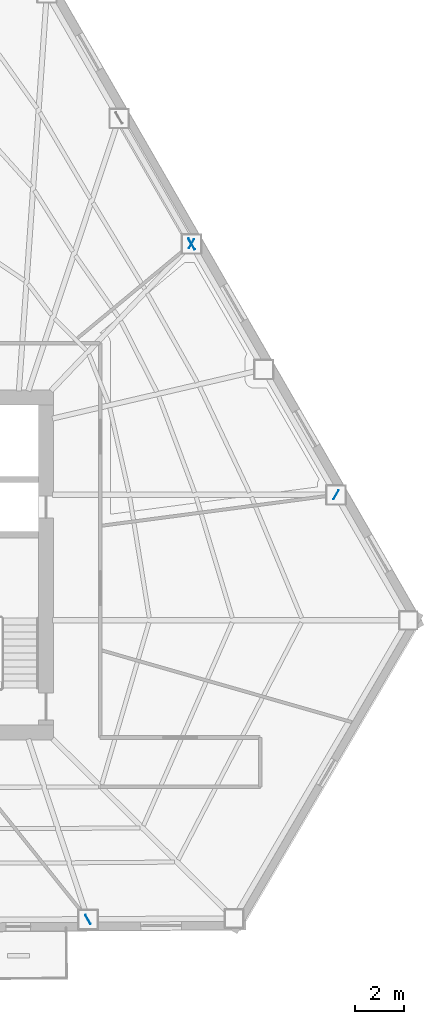
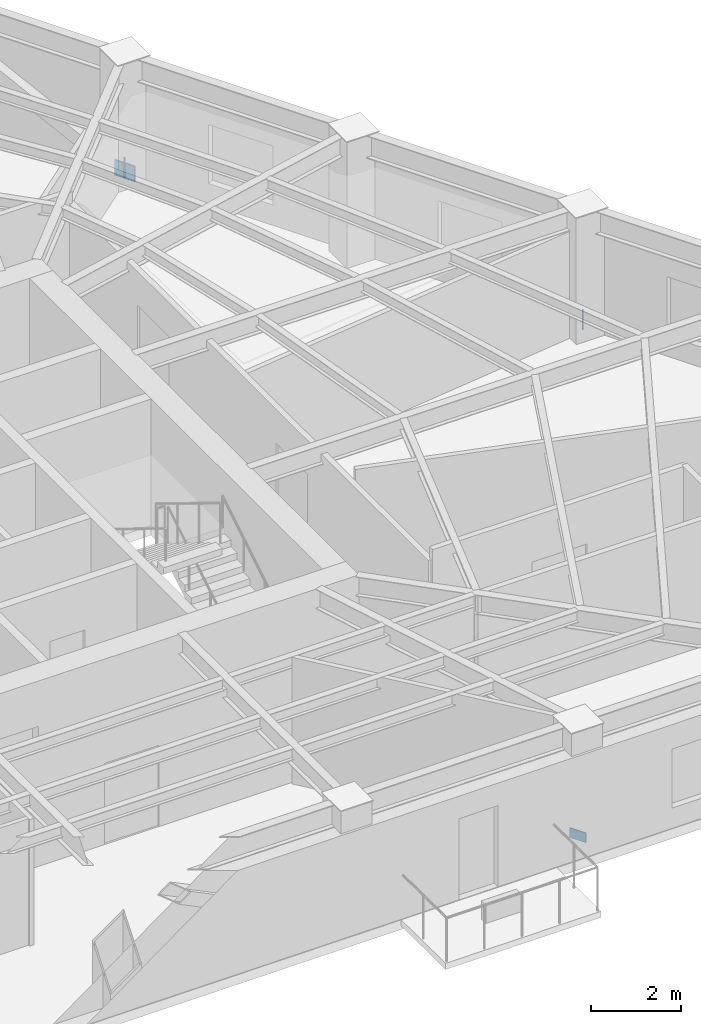
# One storey, part 6 of 14: 4 plates.
"""IFC4 building model written with IfcOpenShell, lengths in metres."""

import ifcopenshell
import ifcopenshell.guid

model = None  # the IFC model being written
_history = None  # IfcOwnerHistory: only IFC2X3 demands one
_inside = {}  # id of a spatial element -> (the spatial element, [elements in it])
_under = {}  # id of a project, library or spatial element -> (it, [spatial elements below it])
_declared = {}  # id of a project -> (the project, [libraries it declares])
_typed = {}  # id of a type object -> (the type object, [elements of that type])
_made_of = {}  # id of a material, layer set ... -> (it, [elements and type objects made of it])


def new_model(schema):
    """Start an empty IFC model of exactly this schema.

    Asked for "IFC4X3", IfcOpenShell would pick the latest addendum, in which some entities
    have other attributes; the version numbers below select the first issue.
    IFC2X3 requires an IfcOwnerHistory on every rooted entity: one is made here for all.
    """
    global model, _history
    if schema == "IFC4X3":
        model = ifcopenshell.file(schema_version=(4, 3, 0, 0))
    else:
        model = ifcopenshell.file(schema=schema)
    _inside.clear()
    _under.clear()
    _declared.clear()
    _typed.clear()
    _made_of.clear()
    _history = None
    if model.schema == "IFC2X3":
        org = make("IfcOrganization", Name="unknown")
        user = make(
            "IfcPersonAndOrganization",
            ThePerson=make("IfcPerson", FamilyName="unknown"),
            TheOrganization=org,
        )
        app = make(
            "IfcApplication",
            ApplicationDeveloper=org,
            Version="unknown",
            ApplicationFullName="unknown",
            ApplicationIdentifier="unknown",
        )
        _history = make(
            "IfcOwnerHistory",
            OwningUser=user,
            OwningApplication=app,
            ChangeAction="ADDED",
            CreationDate=0,
        )
    return model


def make(cls, **values):
    """One entity of the class cls with the attributes given. An attribute that is None is left unset."""
    return model.create_entity(
        cls, **{name: value for name, value in values.items() if value is not None}
    )


def rooted(cls, **values):
    """An entity with a GlobalId (a new one), such as an element, a storey or a relation."""
    return make(cls, GlobalId=ifcopenshell.guid.new(), OwnerHistory=_history, **values)


def si_unit(unit_type, name, prefix=None):
    """IfcSIUnit, for example si_unit("LENGTHUNIT", "METRE", prefix="MILLI")."""
    return make("IfcSIUnit", UnitType=unit_type, Prefix=prefix, Name=name)


def assignment(units):
    """IfcUnitAssignment: the units of a project."""
    return None if units is None else make("IfcUnitAssignment", Units=units)


def point(xyz):
    """IfcCartesianPoint."""
    return None if xyz is None else make("IfcCartesianPoint", Coordinates=xyz)


def direction(xyz):
    """IfcDirection."""
    return None if xyz is None else make("IfcDirection", DirectionRatios=xyz)


def frame(location, z_axis=None, x_axis=None):
    """IfcAxis2Placement3D, a coordinate frame: its origin and axes. An axis left out is left unset."""
    return make(
        "IfcAxis2Placement3D",
        Location=point(location),
        Axis=direction(z_axis),
        RefDirection=direction(x_axis),
    )


def frame_2d(location, x_axis=None):
    """IfcAxis2Placement2D, a coordinate frame in the plane: its origin and x axis."""
    return make(
        "IfcAxis2Placement2D", Location=point(location), RefDirection=direction(x_axis)
    )


def origin():
    """The frame at (0, 0, 0) with its axes left unset."""
    return frame((0.0, 0.0, 0.0))


def origin_2d():
    """The frame at (0, 0) in the plane with its x axis left unset."""
    return frame_2d((0.0, 0.0))


def place(relative_to, where):
    """IfcLocalPlacement: puts the frame where relative to a parent placement (None: the world)."""
    return make(
        "IfcLocalPlacement", PlacementRelTo=relative_to, RelativePlacement=where
    )


def context(
    kind, dimensions, precision=None, world=None, true_north=None, identifier=None
):
    """IfcGeometricRepresentationContext, for example the 3D "Model" context."""
    return make(
        "IfcGeometricRepresentationContext",
        ContextIdentifier=identifier,
        ContextType=kind,
        CoordinateSpaceDimension=dimensions,
        Precision=precision,
        WorldCoordinateSystem=world,
        TrueNorth=true_north,
    )


def subcontext(parent, identifier, kind, view, scale=None):
    """IfcGeometricRepresentationSubContext, for example "Body" below "Model"."""
    return make(
        "IfcGeometricRepresentationSubContext",
        ContextIdentifier=identifier,
        ContextType=kind,
        ParentContext=parent,
        TargetScale=scale,
        TargetView=view,
    )


def project(units=None, contexts=None):
    """IfcProject with its units and contexts."""
    return rooted(
        "IfcProject",
        Name="project",
        RepresentationContexts=contexts,
        UnitsInContext=assignment(units),
    )


def spatial(cls, under=None, at=None, **own):
    """A site, building, storey or space (cls), placed at a placement, below another one or the project."""
    s = rooted(cls, ObjectPlacement=at, **own)
    if under is not None:
        _under.setdefault(under.id(), (under, []))[1].append(s)
    return s


def profile(cls, at=None, kind="AREA", **sizes):
    """A parametric profile (cls). Its sizes go by their IFC names, for example OverallWidth=200.0."""
    return make(cls, ProfileType=kind, Position=at, **sizes)


def rectangle(**sizes):
    """IfcRectangleProfileDef."""
    return profile("IfcRectangleProfileDef", **sizes)


def extrude(swept, where, along, depth):
    """IfcExtrudedAreaSolid: the profile swept, set in the frame where, extruded along a direction by depth."""
    return make(
        "IfcExtrudedAreaSolid",
        SweptArea=swept,
        Position=where,
        ExtrudedDirection=direction(along),
        Depth=depth,
    )


def shape(context_of_items, identifier, shape_type, items):
    """IfcShapeRepresentation: the items that make up one representation, for example the "Body"."""
    return make(
        "IfcShapeRepresentation",
        ContextOfItems=context_of_items,
        RepresentationIdentifier=identifier,
        RepresentationType=shape_type,
        Items=items,
    )


def material(Name=None, Category=None):
    """IfcMaterial."""
    return make("IfcMaterial", Name=Name, Category=Category)


def layer(
    of_material, thickness, ventilated=None, Name=None, Category=None, Priority=None
):
    """IfcMaterialLayer: one layer of a wall or slab, of a material (None: an air gap)."""
    return make(
        "IfcMaterialLayer",
        Material=of_material,
        LayerThickness=thickness,
        IsVentilated=ventilated,
        Name=Name,
        Category=Category,
        Priority=Priority,
    )


def layer_set(layers, Name=None):
    """IfcMaterialLayerSet."""
    return make("IfcMaterialLayerSet", MaterialLayers=layers, LayerSetName=Name)


def made_of(thing, what):
    """Note that an element or type object is made of a material, layer set ...; save() writes the relation."""
    if what is not None:
        _made_of.setdefault(what.id(), (what, []))[1].append(thing)
    return thing


def type_object(cls, material=None, **own):
    """A type object (cls), such as IfcWallType, which elements share."""
    return made_of(rooted(cls, **own), material)


def element(
    cls,
    number,
    at=None,
    inside=None,
    cuts=None,
    type_object=None,
    material=None,
    context=None,
    identifier="Body",
    shape_type=None,
    held_by="IfcProductDefinitionShape",
    body=None,
    shapes=None,
    **own,
):
    """One element of the class cls, such as IfcWall. Its Tag is "e" and its number.

    at: its placement. inside: the storey or other place that contains it. cuts: it is an
    opening in that element (IfcRelVoidsElement). A single representation is given by context,
    identifier, shape_type and body (its items); several are given by shapes. held_by: the class
    of the entity that holds the representations. save() writes the other relations.
    """
    e = rooted(cls, Tag="e%d" % number, ObjectPlacement=at, **own)
    if body is not None:
        shapes = [shape(context, identifier, shape_type, body)]
    if shapes is not None:
        e.Representation = make(held_by, Representations=shapes)
    if inside is not None:
        _inside.setdefault(inside.id(), (inside, []))[1].append(e)
    if cuts is not None:
        rooted(
            "IfcRelVoidsElement", RelatingBuildingElement=cuts, RelatedOpeningElement=e
        )
    if type_object is not None:
        _typed.setdefault(type_object.id(), (type_object, []))[1].append(e)
    return made_of(e, material)


def aggregate(whole, parts):
    """IfcRelAggregates: a whole, such as a stair, and the parts it consists of."""
    return rooted("IfcRelAggregates", RelatingObject=whole, RelatedObjects=parts)


def save(model, path):
    """Write the relations noted so far, then the file.

    IfcRelAggregates (storeys below a building ...), IfcRelContainedInSpatialStructure (elements
    in a storey), IfcRelDefinesByType, IfcRelAssociatesMaterial and IfcRelDeclares: one each for
    every whole, place, type object, material and project.
    """
    for whole, parts in _under.values():
        aggregate(whole, parts)
    for where, things in _inside.values():
        rooted(
            "IfcRelContainedInSpatialStructure",
            RelatedElements=things,
            RelatingStructure=where,
        )
    for kind, things in _typed.values():
        rooted("IfcRelDefinesByType", RelatedObjects=things, RelatingType=kind)
    for what, things in _made_of.values():
        rooted("IfcRelAssociatesMaterial", RelatedObjects=things, RelatingMaterial=what)
    for by, libraries in _declared.values():
        rooted("IfcRelDeclares", RelatingContext=by, RelatedDefinitions=libraries)
    model.write(path)


model = new_model("IFC4")

# Units and contexts
model_context = context("Model", 3, precision=1e-05, world=origin(), true_north=direction((0.0, 1.0)))
body_context = subcontext(model_context, "Body", "Model", "MODEL_VIEW")
ifc_project = project(units=[si_unit("LENGTHUNIT", "METRE"), si_unit("AREAUNIT", "SQUARE_METRE"), si_unit("VOLUMEUNIT", "CUBIC_METRE"), si_unit("PLANEANGLEUNIT", "RADIAN"), si_unit("MASSUNIT", "GRAM", prefix="KILO")], contexts=[model_context])

# Site, building, storey
site_placement = place(None, origin())
site = spatial("IfcSite", under=ifc_project, at=site_placement, CompositionType="ELEMENT")
building_placement = place(site_placement, origin())
building = spatial("IfcBuilding", under=site, at=building_placement, Name="Kavelnor Concourse Tower", CompositionType="ELEMENT")
storey_placement = place(building_placement, frame((0.0, 0.0, 71.449951171875)))
storey = spatial("IfcBuildingStorey", under=building, at=storey_placement, Name="L18", CompositionType="ELEMENT", Elevation=71.449951171875)

# Plates
ifc_material = material(Name="Steel Grade 350", Category="steel")
ifc_layer_1 = layer(ifc_material, 0.031982421875, Name="Steel Grade 350")
ifc_layer_set_1 = layer_set([ifc_layer_1], Name="Steel Grade 350")
plate_type_1 = type_object("IfcPlateType", Name="PL-GUSSET-TUBE-Z1", PredefinedType="USERDEFINED", material=ifc_layer_set_1)
plate_placement = place(storey_placement, frame((53.732177734375, 29.123779296875, 0.010009765625), z_axis=(0.0, 0.0, 1.0), x_axis=(-0.499244059975, 0.866461406284, 0.0)))
element("IfcPlate", 1, at=plate_placement, inside=storey, type_object=plate_type_1, Name="L18 Tube Brace Gusset GP3 F2-B3 End Gusset A", ObjectType="GUSSET_PLATE", PredefinedType="USERDEFINED", context=body_context, shape_type="SweptSolid", body=[
    extrude(rectangle(XDim=0.52001953125, YDim=0.031982421875, at=origin_2d()), origin(), (0.0, 0.0, 1.0), 0.419921875),
])
ifc_layer_2 = layer(ifc_material, 0.02490234375, Name="Steel Grade 350")
ifc_layer_set_2 = layer_set([ifc_layer_2], Name="Steel Grade 350")
plate_type_2 = type_object("IfcPlateType", Name="PL-SPLICE-FLANGE", PredefinedType="SHEET", material=ifc_layer_set_2)
for number, where, z_axis, x_axis, name in (
    (2, (49.52587890625, 1.717529296875, 0.169921875), (0.0, 0.0, 1.0), (-0.5, 0.866025403784, 0.0), "L18 Column Flange Splice Plate F1-B5"),
    (3, (59.594482421875, 18.94970703125, 0.169921875), (0.0, 0.0, 1.0), (-0.5, -0.866025403784, 0.0), "L18 Column Flange Splice Plate F2-B1"),
    (4, (53.72607421875, 29.13427734375, 0.169921875), (0.0, 0.0, 1.0), (-0.5, -0.866025403784, 0.0), "L18 Column Flange Splice Plate F2-B3"),
):
    element("IfcPlate", number, at=place(storey_placement, frame(where, z_axis=z_axis, x_axis=x_axis)), inside=storey, type_object=plate_type_2, Name=name, PredefinedType="SHEET", context=body_context, shape_type="SweptSolid", body=[
        extrude(rectangle(XDim=0.419921875, YDim=0.02490234375, at=origin_2d()), origin(), (0.0, 0.0, 1.0), 0.260009765625),
    ])

save(model, "model.ifc")
